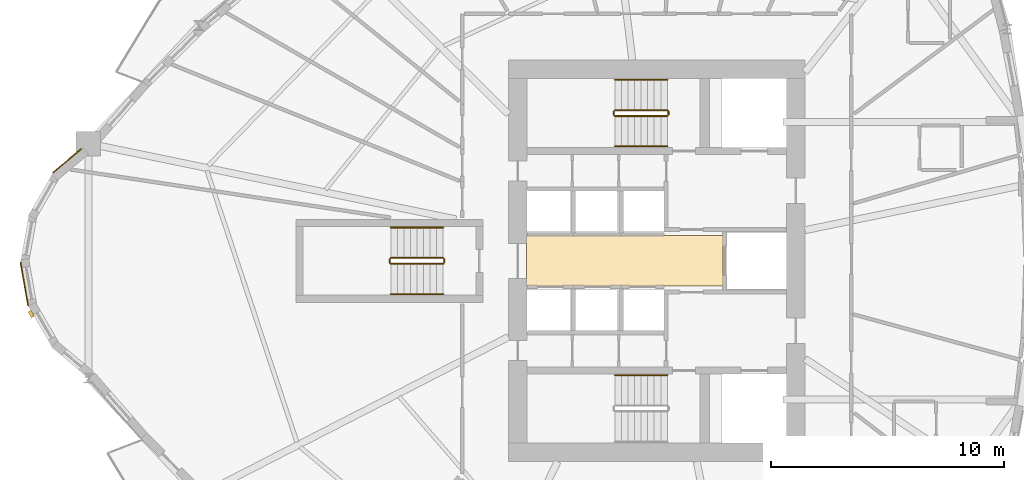
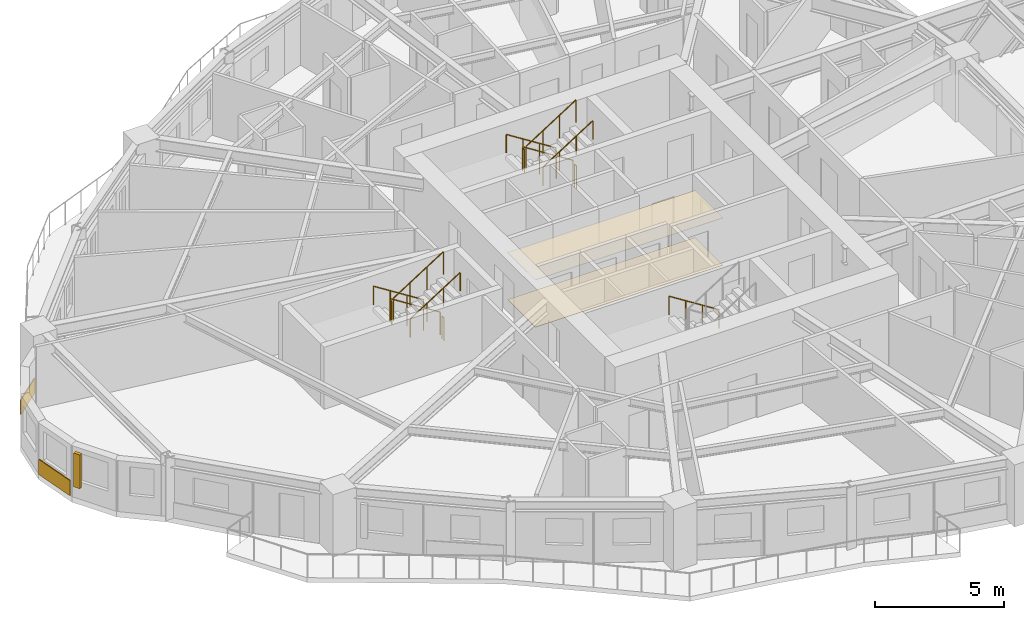
# One storey, part 13 of 16: 13 railings, 4 coverings, 1 shading device.
"""IFC4 building model written with IfcOpenShell, lengths in metres."""

from ifc_helpers import new_model, si_unit, direction, frame, origin, origin_2d, place, context, subcontext, project, spatial, polyline, rectangle, circle, outline, extrude, source, transform, mapped, material, layer, layer_set, type_object, element, save


model = new_model("IFC4")

# Units and contexts
model_context = context("Model", 3, precision=1e-05, world=origin(), true_north=direction((0.0, 1.0)))
body_context = subcontext(model_context, "Body", "Model", "MODEL_VIEW")
ifc_project = project(units=[si_unit("LENGTHUNIT", "METRE"), si_unit("AREAUNIT", "SQUARE_METRE"), si_unit("VOLUMEUNIT", "CUBIC_METRE"), si_unit("PLANEANGLEUNIT", "RADIAN"), si_unit("MASSUNIT", "GRAM", prefix="KILO")], contexts=[model_context])

# Site, building, storey
site_placement = place(None, origin())
site = spatial("IfcSite", under=ifc_project, at=site_placement, CompositionType="ELEMENT")
building_placement = place(site_placement, origin())
building = spatial("IfcBuilding", under=site, at=building_placement, Name="Qafzar Sky-Pleat Residences", CompositionType="ELEMENT")
storey_placement = place(building_placement, frame((0.0, 0.0, 33.39990234375)))
storey = spatial("IfcBuildingStorey", under=building, at=storey_placement, Name="L09", CompositionType="ELEMENT", Elevation=33.39990234375)

# Coverings
ifc_material_1 = material(Name="Perforated acoustic gypsum board ceiling")
ifc_layer_1 = layer(ifc_material_1, 0.02001953125)
ifc_layer_set_1 = layer_set([ifc_layer_1], Name="Perforated acoustic gypsum board ceiling")
covering_type_1 = type_object("IfcCoveringType", Name="COV-CEIL-ACOUSTIC", PredefinedType="CEILING", material=ifc_layer_set_1)
covering_1_placement = place(storey_placement, frame((0.0, 0.0, 2.239990234375)))
element("IfcCovering", 1, at=covering_1_placement, inside=storey, type_object=covering_type_1, Name="L09 Passenger Lift Lobby Acoustic Ceiling", PredefinedType="CEILING", context=body_context, shape_type="SweptSolid", body=[
    extrude(outline(polyline([(33.179931640625, 24.919921875), (24.77001953125, 24.919921875), (24.77001953125, 27.080078125), (33.179931640625, 27.080078125), (33.179931640625, 24.919921875)])), origin(), (0.0, 0.0, 1.0), 0.02001953125),
])
ifc_material_2 = material(Name="Honed porcelain and Riyadh stone tile flooring", Category="masonry")
ifc_layer_2 = layer(ifc_material_2, 0.02001953125)
ifc_layer_set_2 = layer_set([ifc_layer_2], Name="Honed porcelain and Riyadh stone tile flooring")
covering_type_2 = type_object("IfcCoveringType", Name="COV-FLR-PORCELAIN", PredefinedType="FLOORING", material=ifc_layer_set_2)
covering_2_placement = place(storey_placement, origin())
element("IfcCovering", 2, at=covering_2_placement, inside=storey, type_object=covering_type_2, Name="L09 Passenger Lift Lobby Honed Stone Flooring", PredefinedType="FLOORING", context=body_context, shape_type="SweptSolid", body=[
    extrude(outline(polyline([(33.179931640625, 24.919921875), (24.77001953125, 24.919921875), (24.77001953125, 27.080078125), (33.179931640625, 27.080078125), (33.179931640625, 24.919921875)])), origin(), (0.0, 0.0, 1.0), 0.02001953125),
])
ifc_material_3 = material(Name="Honed Riyadh Tuwaiq limestone cladding", Category="masonry")
ifc_layer_3 = layer(ifc_material_3, 0.044921875)
ifc_layer_set_3 = layer_set([ifc_layer_3], Name="Honed Riyadh Tuwaiq limestone cladding")
covering_type_3 = type_object("IfcCoveringType", Name="COV-CLAD-STONE", PredefinedType="CLADDING", material=ifc_layer_set_3)
shared_shape_1 = source(origin(), body_context, "Body", "SweptSolid", [
    extrude(rectangle(XDim=1.5771484375, YDim=0.044921875, at=origin_2d()), origin(), (0.0, 0.0, 1.0), 0.719970703125),
])
covering_3_placement = place(storey_placement, frame((5.094970703125, 30.28369140625, 0.02001953125), z_axis=(0.0, 0.0, 1.0), x_axis=(-0.766074606481, -0.642751660678, 0.0)))
element("IfcCovering", 3, at=covering_3_placement, inside=storey, type_object=covering_type_3, Name="L09 Riyadh Limestone Spandrel Cladding 1", PredefinedType="CLADDING", context=body_context, shape_type="MappedRepresentation", body=[
    mapped(shared_shape_1, transform((0.0, 0.0, 0.0), x_axis=(1.0, 0.0, 0.0), y_axis=(0.0, 1.0, 0.0), z_axis=(0.0, 0.0, 1.0), scale=1.0)),
])

# Shading device
ifc_material_4 = material(Name="Honed Riyadh limestone solar fin", Category="masonry")
ifc_layer_4 = layer(ifc_material_4, 0.139892578125)
ifc_layer_set_4 = layer_set([ifc_layer_4], Name="Honed Riyadh limestone solar fin")
shading_device_type = type_object("IfcShadingDeviceType", Name="SHD-FIN-STONE", PredefinedType="SHUTTER", material=ifc_layer_set_4)
shared_shape_2 = source(origin(), body_context, "Body", "SweptSolid", [
    extrude(rectangle(XDim=0.139892578125, YDim=0.280029296875, at=origin_2d()), origin(), (0.0, 0.0, 1.0), 1.60009765625),
])
shading_device_placement = place(storey_placement, frame((3.5546875, 23.72216796875, 0.60009765625), z_axis=(0.0, 0.0, 1.0), x_axis=(-0.86604422228, -0.499967403994, 0.0)))
element("IfcShadingDevice", 4, at=shading_device_placement, inside=storey, type_object=shading_device_type, Name="L09 Limestone Solar Fin 5", PredefinedType="SHUTTER", context=body_context, shape_type="MappedRepresentation", body=[
    mapped(shared_shape_2, transform((0.0, 0.0, 0.0), x_axis=(1.0, 0.0, 0.0), y_axis=(0.0, 1.0, 0.0), z_axis=(0.0, 0.0, 1.0), scale=1.0)),
])

# Covering
shared_shape_3 = source(origin(), body_context, "Body", "SweptSolid", [
    extrude(rectangle(XDim=1.88134765625, YDim=0.044921875, at=origin_2d()), origin(), (0.0, 0.0, 1.0), 0.719970703125),
])
covering_4_placement = place(storey_placement, frame((3.26318359375, 25.00439453125, 0.02001953125), z_axis=(0.0, 0.0, 1.0), x_axis=(0.173662519465, -0.984805224059, 0.0)))
element("IfcCovering", 5, at=covering_4_placement, inside=storey, type_object=covering_type_3, Name="L09 Riyadh Limestone Spandrel Cladding 4", PredefinedType="CLADDING", context=body_context, shape_type="MappedRepresentation", body=[
    mapped(shared_shape_3, transform((0.0, 0.0, 0.0), x_axis=(1.0, 0.0, 0.0), y_axis=(0.0, 1.0, 0.0), z_axis=(0.0, 0.0, 1.0), scale=1.0)),
])

# Railings
ifc_material_5 = material(Name="Painted Steel S355 stair guardrail", Category="steel")
railing_type_1 = type_object("IfcRailingType", Name="RAIL-STAIR-GUARD", PredefinedType="GUARDRAIL", material=ifc_material_5)
shared_shape_4 = source(origin(), body_context, "Body", "SweptSolid", [
    extrude(circle(Radius=0.02392578125, at=origin_2d()), frame((0.0, 0.0, 1.076171875), z_axis=(0.0, -1.0, 0.0), x_axis=(1.0, 0.0, 0.0)), (0.0, 0.0, 1.0), 0.14990234375),
    extrude(circle(Radius=0.02099609375, at=origin_2d()), origin(), (0.0, 0.0, 1.0), 1.052001953125),
    extrude(circle(Radius=0.02099609375, at=origin_2d()), frame((0.0, -0.14990234375, 0.0)), (0.0, 0.0, 1.0), 1.052001953125),
])
for number, where, name in (
    (6, (28.510009765625, 32.39990234375, 1.60009765625), "L09 ST2 stair guard 2"),
    (7, (30.85009765625, 32.39990234375, 0.0), "L09 ST2 stair guard 4"),
    (8, (18.909912109375, 26.074951171875, 1.60009765625), "L09 ST3 stair guard 2"),
    (9, (21.25, 26.074951171875, 0.0), "L09 ST3 stair guard 4"),
):
    element("IfcRailing", number, at=place(storey_placement, frame(where)), inside=storey, type_object=railing_type_1, Name=name, PredefinedType="GUARDRAIL", context=body_context, shape_type="MappedRepresentation", body=[
        mapped(shared_shape_4, transform((0.0, 0.0, 0.0), x_axis=(1.0, 0.0, 0.0), y_axis=(0.0, 1.0, 0.0), z_axis=(0.0, 0.0, 1.0), scale=1.0)),
    ])
shared_shape_5 = source(origin(), body_context, "Body", "SweptSolid", [
    extrude(circle(Radius=0.02392578125, at=origin_2d()), frame((0.0, 0.0, 1.076171875), z_axis=(-0.8442293374, 0.0, 0.53598211339), x_axis=(0.0, -1.0, 0.0)), (0.0, 0.0, 1.0), 2.6533203125),
    extrude(circle(Radius=0.02099609375, at=origin_2d()), origin(), (0.0, 0.0, 1.0), 1.052001953125),
    extrude(circle(Radius=0.02099609375, at=origin_2d()), frame((-0.74658203125, 0.0, 0.47412109375)), (0.0, 0.0, 1.0), 1.052001953125),
    extrude(circle(Radius=0.02099609375, at=origin_2d()), frame((-1.493408203125, 0.0, 0.947998046875)), (0.0, 0.0, 1.0), 1.052001953125),
    extrude(circle(Radius=0.02099609375, at=origin_2d()), frame((-2.239990234375, 0.0, 1.422119140625)), (0.0, 0.0, 1.0), 1.052001953125),
])
for number, where, name in (
    (10, (30.800048828125, 32.449951171875, 0.177978515625), "L09 ST2 stair guard 1"),
    (11, (21.199951171875, 26.125, 0.177978515625), "L09 ST3 stair guard 1"),
):
    element("IfcRailing", number, at=place(storey_placement, frame(where)), inside=storey, type_object=railing_type_1, Name=name, PredefinedType="GUARDRAIL", context=body_context, shape_type="MappedRepresentation", body=[
        mapped(shared_shape_5, transform((0.0, 0.0, 0.0), x_axis=(1.0, 0.0, 0.0), y_axis=(0.0, 1.0, 0.0), z_axis=(0.0, 0.0, 1.0), scale=1.0)),
    ])
ifc_material_6 = material(Name="Brushed stainless steel handrail", Category="steel")
railing_type_2 = type_object("IfcRailingType", Name="RAIL-STAIR-HAND", PredefinedType="HANDRAIL", material=ifc_material_6)
shared_shape_6 = source(origin(), body_context, "Body", "SweptSolid", [
    extrude(circle(Radius=0.02392578125, at=origin_2d()), frame((0.0, 0.0, 0.8759765625), z_axis=(-0.8442293374, 0.0, 0.53598211339), x_axis=(0.0, -1.0, 0.0)), (0.0, 0.0, 1.0), 2.6533203125),
    extrude(circle(Radius=0.02099609375, at=origin_2d()), origin(), (0.0, 0.0, 1.0), 0.851806640625),
    extrude(circle(Radius=0.02099609375, at=origin_2d()), frame((-0.74658203125, 0.0, 0.47412109375)), (0.0, 0.0, 1.0), 0.851806640625),
    extrude(circle(Radius=0.02099609375, at=origin_2d()), frame((-1.493408203125, 0.0, 0.947998046875)), (0.0, 0.0, 1.0), 0.851806640625),
    extrude(circle(Radius=0.02099609375, at=origin_2d()), frame((-2.239990234375, 0.0, 1.422119140625)), (0.0, 0.0, 1.0), 0.851806640625),
])
for number, where, name in (
    (12, (30.800048828125, 21.10009765625, 0.177978515625), "L09 ST1 stair handrail 1"),
    (13, (30.800048828125, 33.75, 0.177978515625), "L09 ST2 stair handrail 1"),
    (14, (21.199951171875, 27.425048828125, 0.177978515625), "L09 ST3 stair handrail 1"),
):
    element("IfcRailing", number, at=place(storey_placement, frame(where)), inside=storey, type_object=railing_type_2, Name=name, PredefinedType="HANDRAIL", context=body_context, shape_type="MappedRepresentation", body=[
        mapped(shared_shape_6, transform((0.0, 0.0, 0.0), x_axis=(1.0, 0.0, 0.0), y_axis=(0.0, 1.0, 0.0), z_axis=(0.0, 0.0, 1.0), scale=1.0)),
    ])
shared_shape_7 = source(origin(), body_context, "Body", "SweptSolid", [
    extrude(circle(Radius=0.02392578125, at=origin_2d()), frame((0.0, 0.0, 1.076171875), z_axis=(0.84418770128, 0.0, 0.536047689118), x_axis=(0.0, 1.0, 0.0)), (0.0, 0.0, 1.0), 2.6533203125),
    extrude(circle(Radius=0.02099609375, at=origin_2d()), origin(), (0.0, 0.0, 1.0), 1.052001953125),
    extrude(circle(Radius=0.02099609375, at=origin_2d()), frame((0.74658203125, 0.0, 0.47412109375)), (0.0, 0.0, 1.0), 1.052001953125),
    extrude(circle(Radius=0.02099609375, at=origin_2d()), frame((1.493408203125, 0.0, 0.9482421875)), (0.0, 0.0, 1.0), 1.052001953125),
    extrude(circle(Radius=0.02099609375, at=origin_2d()), frame((2.239990234375, 0.0, 1.42236328125)), (0.0, 0.0, 1.0), 1.052001953125),
])
for number, where, name in (
    (15, (28.56005859375, 32.199951171875, 1.77783203125), "L09 ST2 stair guard 3"),
    (16, (18.9599609375, 25.875, 1.77783203125), "L09 ST3 stair guard 3"),
):
    element("IfcRailing", number, at=place(storey_placement, frame(where)), inside=storey, type_object=railing_type_1, Name=name, PredefinedType="GUARDRAIL", context=body_context, shape_type="MappedRepresentation", body=[
        mapped(shared_shape_7, transform((0.0, 0.0, 0.0), x_axis=(1.0, 0.0, 0.0), y_axis=(0.0, 1.0, 0.0), z_axis=(0.0, 0.0, 1.0), scale=1.0)),
    ])
shared_shape_8 = source(origin(), body_context, "Body", "SweptSolid", [
    extrude(circle(Radius=0.02392578125, at=origin_2d()), frame((0.0, 0.0, 0.8759765625), z_axis=(0.84418770128, 0.0, 0.536047689118), x_axis=(0.0, 1.0, 0.0)), (0.0, 0.0, 1.0), 2.6533203125),
    extrude(circle(Radius=0.02099609375, at=origin_2d()), origin(), (0.0, 0.0, 1.0), 0.851806640625),
    extrude(circle(Radius=0.02099609375, at=origin_2d()), frame((0.74658203125, 0.0, 0.47412109375)), (0.0, 0.0, 1.0), 0.851806640625),
    extrude(circle(Radius=0.02099609375, at=origin_2d()), frame((1.493408203125, 0.0, 0.9482421875)), (0.0, 0.0, 1.0), 0.851806640625),
    extrude(circle(Radius=0.02099609375, at=origin_2d()), frame((2.239990234375, 0.0, 1.42236328125)), (0.0, 0.0, 1.0), 0.851806640625),
])
for number, where, name in (
    (17, (28.56005859375, 30.89990234375, 1.77783203125), "L09 ST2 stair handrail 2"),
    (18, (18.9599609375, 24.574951171875, 1.77783203125), "L09 ST3 stair handrail 2"),
):
    element("IfcRailing", number, at=place(storey_placement, frame(where)), inside=storey, type_object=railing_type_2, Name=name, PredefinedType="HANDRAIL", context=body_context, shape_type="MappedRepresentation", body=[
        mapped(shared_shape_8, transform((0.0, 0.0, 0.0), x_axis=(1.0, 0.0, 0.0), y_axis=(0.0, 1.0, 0.0), z_axis=(0.0, 0.0, 1.0), scale=1.0)),
    ])

save(model, "model.ifc")
